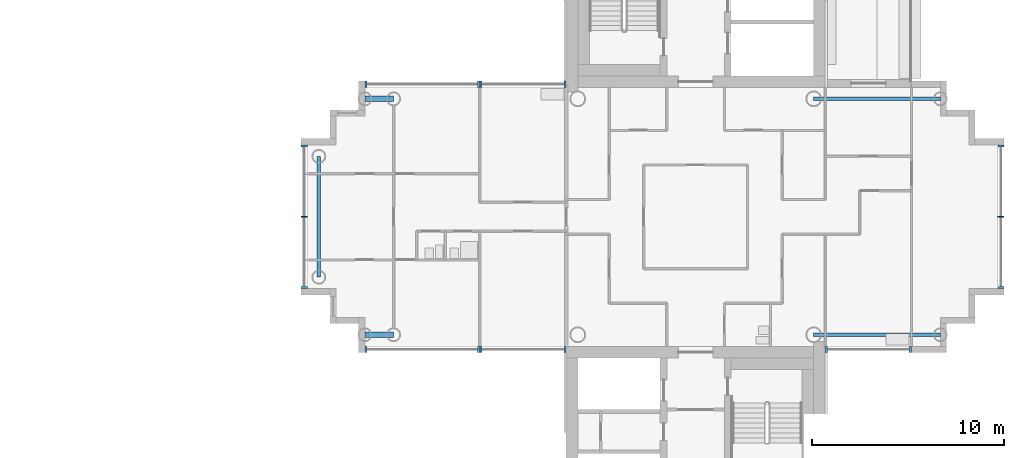
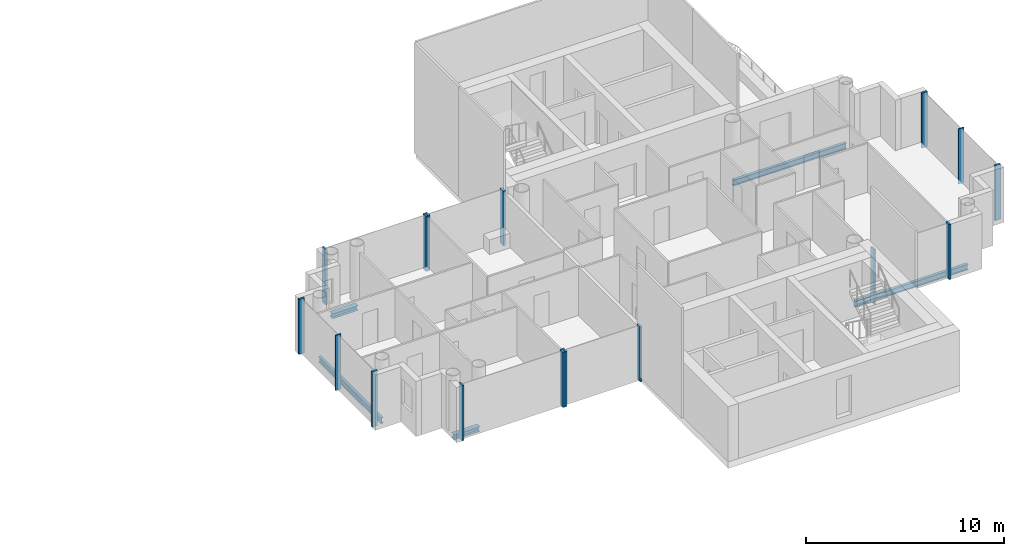
# One storey, part 4 of 18: 16 members, 5 beams, 7 elements without a shape of their own.
"""IFC4 building model written with IfcOpenShell, lengths in metres."""

from ifc_helpers import new_model, si_unit, direction, frame, origin, origin_2d, place, context, subcontext, project, spatial, rectangle, i_section, extrude, material, layer, layer_set, material_profile, profile_set, type_object, element, aggregate, save


model = new_model("IFC4")

# Units and contexts
model_context = context("Model", 3, precision=1e-05, world=origin(), true_north=direction((0.0, 1.0)))
body_context = subcontext(model_context, "Body", "Model", "MODEL_VIEW")
ifc_project = project(units=[si_unit("LENGTHUNIT", "METRE"), si_unit("AREAUNIT", "SQUARE_METRE"), si_unit("VOLUMEUNIT", "CUBIC_METRE"), si_unit("PLANEANGLEUNIT", "RADIAN"), si_unit("MASSUNIT", "GRAM", prefix="KILO")], contexts=[model_context])

# Site, building, storey
site_placement = place(None, origin())
site = spatial("IfcSite", under=ifc_project, at=site_placement, CompositionType="ELEMENT")
building_placement = place(site_placement, origin())
building = spatial("IfcBuilding", under=site, at=building_placement, Name="Ipe Terrace Towers", CompositionType="ELEMENT")
storey_placement = place(building_placement, frame((0.0, 0.0, 219.800048828125)))
storey = spatial("IfcBuildingStorey", under=building, at=storey_placement, Name="L61", CompositionType="ELEMENT", Elevation=219.800048828125)

# Beams
ifc_material_1 = material(Name="Steel S355", Category="steel")
ifc_material_profile_1 = material_profile(ifc_material_1, i_section(OverallWidth=0.300048828125, OverallDepth=0.300048828125, WebThickness=0.010009765625, FlangeThickness=0.014892578125, at=origin_2d()), Name="H-300x300x10x15")
ifc_profile_set_1 = profile_set([ifc_material_profile_1], Name="Steel S355")
beam_type_1 = type_object("IfcBeamType", Name="H03 EDGE BEAM H-300x300x10x15", PredefinedType="BEAM", material=ifc_profile_set_1)
for number, where, z_axis, x_axis, name in (
    (1, (20.25, 6.14990234375, -0.550048828125), (-1.0, 0.0, 0.0), (0.0, -1.0, 0.0), "Edge beam T2-EB-B03-B05"),
    (2, (20.25, -6.14990234375, -0.550048828125), (-1.0, 0.0, 0.0), (0.0, -1.0, 0.0), "Edge beam T2-EB-B04-B06"),
):
    element("IfcBeam", number, at=place(storey_placement, frame(where, z_axis=z_axis, x_axis=x_axis)), inside=storey, type_object=beam_type_1, Name=name, PredefinedType="BEAM", context=body_context, shape_type="SweptSolid", body=[
        extrude(i_section(OverallWidth=0.300048828125, OverallDepth=0.300048828125, WebThickness=0.010009765625, FlangeThickness=0.014892578125, at=origin_2d()), origin(), (0.0, 0.0, 1.0), 1.5),
    ])
ifc_material_2 = material(Name="Steel S355", Category="steel")
ifc_material_profile_2 = material_profile(ifc_material_2, i_section(OverallWidth=0.175048828125, OverallDepth=0.35009765625, WebThickness=0.007080078125, FlangeThickness=0.010986328125, at=origin_2d()), Name="H-350x175x7x11")
ifc_profile_set_2 = profile_set([ifc_material_profile_2], Name="Steel S355")
beam_type_2 = type_object("IfcBeamType", Name="H04 EDGE BEAM H-350x175x7x11", PredefinedType="BEAM", material=ifc_profile_set_2)
beam_placement = place(storey_placement, frame((16.35009765625, 3.14990234375, -0.574951171875), z_axis=(0.0, -1.0, 0.0), x_axis=(1.0, 0.0, 0.0)))
element("IfcBeam", 3, at=beam_placement, inside=storey, type_object=beam_type_2, Name="Edge beam T2-EB-B07-B08", PredefinedType="BEAM", context=body_context, shape_type="SweptSolid", body=[
    extrude(i_section(OverallWidth=0.175048828125, OverallDepth=0.35009765625, WebThickness=0.007080078125, FlangeThickness=0.010986328125, at=origin_2d()), origin(), (0.0, 0.0, 1.0), 6.2998046875),
])
for number, where, z_axis, x_axis, name in (
    (4, (48.75, -6.14990234375, -0.574951171875), (-1.0, 0.0, 0.0), (0.0, -1.0, 0.0), "Edge beam T2-EB-D01-E01"),
    (5, (48.75, 6.14990234375, -0.574951171875), (-1.0, 0.0, 0.0), (0.0, -1.0, 0.0), "Edge beam T2-EB-D02-E02"),
):
    element("IfcBeam", number, at=place(storey_placement, frame(where, z_axis=z_axis, x_axis=x_axis)), inside=storey, type_object=beam_type_2, Name=name, PredefinedType="BEAM", context=body_context, shape_type="SweptSolid", body=[
        extrude(i_section(OverallWidth=0.175048828125, OverallDepth=0.35009765625, WebThickness=0.007080078125, FlangeThickness=0.010986328125, at=origin_2d()), origin(), (0.0, 0.0, 1.0), 6.60009765625),
    ])

# Curtain wall, members
ifc_material_3 = material(Name="Aluminium alloy 6063-T6", Category="aluminium")
ifc_layer = layer(ifc_material_3, 0.320068359375)
ifc_layer_set = layer_set([ifc_layer], Name="TOWER UNITISED CURTAIN WALL")
curtain_wall_type = type_object("IfcCurtainWallType", Name="TOWER UNITISED CURTAIN WALL", PredefinedType="NOTDEFINED", material=ifc_layer_set)
curtain_wall_1_placement = place(storey_placement, origin())
curtain_wall_1 = element("IfcCurtainWall", 6, at=curtain_wall_1_placement, inside=storey, type_object=curtain_wall_type, Name="T2-CW-L61-02a curtain wall", PredefinedType="NOTDEFINED")
ifc_material_4 = material(Name="Aluminium alloy 6063-T6", Category="aluminium")
ifc_material_profile_3 = material_profile(ifc_material_4, rectangle(XDim=0.320068359375, YDim=0.1201171875, at=origin_2d()), Name="TOWER UNITISED CORNER MULLION 320 x 120")
ifc_profile_set_3 = profile_set([ifc_material_profile_3], Name="Aluminium alloy 6063-T6")
member_type_1 = type_object("IfcMemberType", Name="TOWER UNITISED CORNER MULLION 320 x 120", PredefinedType="MULLION", material=ifc_profile_set_3)
member_1_placement = place(storey_placement, frame((42.81005859375, -6.909912109375, -0.300048828125), z_axis=(0.0, 0.0, 1.0), x_axis=(0.0, -1.0, 0.0)))
member_1 = element("IfcMember", 7, at=member_1_placement, type_object=member_type_1, Name="T2-CW-L61-02a mullion 1", PredefinedType="MULLION", context=body_context, shape_type="SweptSolid", body=[
    extrude(rectangle(XDim=0.320068359375, YDim=0.1201171875, at=origin_2d()), origin(), (0.0, 0.0, 1.0), 3.39990234375),
])
member_2_placement = place(storey_placement, frame((47.18994140625, -6.909912109375, -0.300048828125), z_axis=(0.0, 0.0, 1.0), x_axis=(0.0, -1.0, 0.0)))
member_2 = element("IfcMember", 8, at=member_2_placement, type_object=member_type_1, Name="T2-CW-L61-02a mullion 2", PredefinedType="MULLION", context=body_context, shape_type="SweptSolid", body=[
    extrude(rectangle(XDim=0.320068359375, YDim=0.1201171875, at=origin_2d()), origin(), (0.0, 0.0, 1.0), 3.39990234375),
])
aggregate(curtain_wall_1, [member_1, member_2])

curtain_wall_2_placement = place(storey_placement, origin())
curtain_wall_2 = element("IfcCurtainWall", 9, at=curtain_wall_2_placement, inside=storey, type_object=curtain_wall_type, Name="T2-CW-L61-08a curtain wall", PredefinedType="NOTDEFINED")
member_3_placement = place(storey_placement, frame((51.909912109375, -3.68994140625, -0.300048828125), z_axis=(0.0, 0.0, 1.0), x_axis=(1.0, 0.0, 0.0)))
member_3 = element("IfcMember", 10, at=member_3_placement, type_object=member_type_1, Name="T2-CW-L61-08a mullion 1", PredefinedType="MULLION", context=body_context, shape_type="SweptSolid", body=[
    extrude(rectangle(XDim=0.320068359375, YDim=0.1201171875, at=origin_2d()), origin(), (0.0, 0.0, 1.0), 3.39990234375),
])
member_4_placement = place(storey_placement, frame((51.909912109375, 3.68994140625, -0.300048828125), z_axis=(0.0, 0.0, 1.0), x_axis=(1.0, 0.0, 0.0)))
member_4 = element("IfcMember", 11, at=member_4_placement, type_object=member_type_1, Name="T2-CW-L61-08a mullion 3", PredefinedType="MULLION", context=body_context, shape_type="SweptSolid", body=[
    extrude(rectangle(XDim=0.320068359375, YDim=0.1201171875, at=origin_2d()), origin(), (0.0, 0.0, 1.0), 3.39990234375),
])

curtain_wall_3_placement = place(storey_placement, origin())
curtain_wall_3 = element("IfcCurtainWall", 12, at=curtain_wall_3_placement, inside=storey, type_object=curtain_wall_type, Name="T2-CW-L61-20a curtain wall", PredefinedType="NOTDEFINED")
member_5_placement = place(storey_placement, frame((29.18994140625, 6.909912109375, -0.300048828125), z_axis=(0.0, 0.0, 1.0), x_axis=(0.0, 1.0, 0.0)))
member_5 = element("IfcMember", 13, at=member_5_placement, type_object=member_type_1, Name="T2-CW-L61-20a mullion 1", PredefinedType="MULLION", context=body_context, shape_type="SweptSolid", body=[
    extrude(rectangle(XDim=0.320068359375, YDim=0.1201171875, at=origin_2d()), origin(), (0.0, 0.0, 1.0), 3.39990234375),
])
member_6_placement = place(storey_placement, frame((24.81005859375, 6.909912109375, -0.300048828125), z_axis=(0.0, 0.0, 1.0), x_axis=(0.0, 1.0, 0.0)))
member_6 = element("IfcMember", 14, at=member_6_placement, type_object=member_type_1, Name="T2-CW-L61-20a mullion 2", PredefinedType="MULLION", context=body_context, shape_type="SweptSolid", body=[
    extrude(rectangle(XDim=0.320068359375, YDim=0.1201171875, at=origin_2d()), origin(), (0.0, 0.0, 1.0), 3.39990234375),
])
aggregate(curtain_wall_3, [member_5, member_6])

curtain_wall_4_placement = place(storey_placement, origin())
curtain_wall_4 = element("IfcCurtainWall", 15, at=curtain_wall_4_placement, inside=storey, type_object=curtain_wall_type, Name="T2-CW-L61-21a curtain wall", PredefinedType="NOTDEFINED")
member_7_placement = place(storey_placement, frame((24.68994140625, 6.909912109375, -0.300048828125), z_axis=(0.0, 0.0, 1.0), x_axis=(0.0, 1.0, 0.0)))
member_7 = element("IfcMember", 16, at=member_7_placement, type_object=member_type_1, Name="T2-CW-L61-21a mullion 1", PredefinedType="MULLION", context=body_context, shape_type="SweptSolid", body=[
    extrude(rectangle(XDim=0.320068359375, YDim=0.1201171875, at=origin_2d()), origin(), (0.0, 0.0, 1.0), 3.39990234375),
])
member_8_placement = place(storey_placement, frame((18.81005859375, 6.909912109375, -0.300048828125), z_axis=(0.0, 0.0, 1.0), x_axis=(0.0, 1.0, 0.0)))
member_8 = element("IfcMember", 17, at=member_8_placement, type_object=member_type_1, Name="T2-CW-L61-21a mullion 2", PredefinedType="MULLION", context=body_context, shape_type="SweptSolid", body=[
    extrude(rectangle(XDim=0.320068359375, YDim=0.1201171875, at=origin_2d()), origin(), (0.0, 0.0, 1.0), 3.39990234375),
])
aggregate(curtain_wall_4, [member_7, member_8])

curtain_wall_5_placement = place(storey_placement, origin())
curtain_wall_5 = element("IfcCurtainWall", 18, at=curtain_wall_5_placement, inside=storey, type_object=curtain_wall_type, Name="T2-CW-L61-26a curtain wall", PredefinedType="NOTDEFINED")
member_9_placement = place(storey_placement, frame((15.590087890625, 3.68994140625, -0.300048828125), z_axis=(0.0, 0.0, 1.0), x_axis=(-1.0, 0.0, 0.0)))
member_9 = element("IfcMember", 19, at=member_9_placement, type_object=member_type_1, Name="T2-CW-L61-26a mullion 1", PredefinedType="MULLION", context=body_context, shape_type="SweptSolid", body=[
    extrude(rectangle(XDim=0.320068359375, YDim=0.1201171875, at=origin_2d()), origin(), (0.0, 0.0, 1.0), 3.39990234375),
])
member_10_placement = place(storey_placement, frame((15.590087890625, -3.68994140625, -0.300048828125), z_axis=(0.0, 0.0, 1.0), x_axis=(-1.0, 0.0, 0.0)))
member_10 = element("IfcMember", 20, at=member_10_placement, type_object=member_type_1, Name="T2-CW-L61-26a mullion 3", PredefinedType="MULLION", context=body_context, shape_type="SweptSolid", body=[
    extrude(rectangle(XDim=0.320068359375, YDim=0.1201171875, at=origin_2d()), origin(), (0.0, 0.0, 1.0), 3.39990234375),
])

curtain_wall_6_placement = place(storey_placement, origin())
curtain_wall_6 = element("IfcCurtainWall", 21, at=curtain_wall_6_placement, inside=storey, type_object=curtain_wall_type, Name="T2-CW-L61-31a curtain wall", PredefinedType="NOTDEFINED")
member_11_placement = place(storey_placement, frame((18.81005859375, -6.909912109375, -0.300048828125), z_axis=(0.0, 0.0, 1.0), x_axis=(0.0, -1.0, 0.0)))
member_11 = element("IfcMember", 22, at=member_11_placement, type_object=member_type_1, Name="T2-CW-L61-31a mullion 1", PredefinedType="MULLION", context=body_context, shape_type="SweptSolid", body=[
    extrude(rectangle(XDim=0.320068359375, YDim=0.1201171875, at=origin_2d()), origin(), (0.0, 0.0, 1.0), 3.39990234375),
])
member_12_placement = place(storey_placement, frame((24.68994140625, -6.909912109375, -0.300048828125), z_axis=(0.0, 0.0, 1.0), x_axis=(0.0, -1.0, 0.0)))
member_12 = element("IfcMember", 23, at=member_12_placement, type_object=member_type_1, Name="T2-CW-L61-31a mullion 2", PredefinedType="MULLION", context=body_context, shape_type="SweptSolid", body=[
    extrude(rectangle(XDim=0.320068359375, YDim=0.1201171875, at=origin_2d()), origin(), (0.0, 0.0, 1.0), 3.39990234375),
])
aggregate(curtain_wall_6, [member_11, member_12])

curtain_wall_7_placement = place(storey_placement, origin())
curtain_wall_7 = element("IfcCurtainWall", 24, at=curtain_wall_7_placement, inside=storey, type_object=curtain_wall_type, Name="T2-CW-L61-32a curtain wall", PredefinedType="NOTDEFINED")
member_13_placement = place(storey_placement, frame((24.81005859375, -6.909912109375, -0.300048828125), z_axis=(0.0, 0.0, 1.0), x_axis=(0.0, -1.0, 0.0)))
member_13 = element("IfcMember", 25, at=member_13_placement, type_object=member_type_1, Name="T2-CW-L61-32a mullion 1", PredefinedType="MULLION", context=body_context, shape_type="SweptSolid", body=[
    extrude(rectangle(XDim=0.320068359375, YDim=0.1201171875, at=origin_2d()), origin(), (0.0, 0.0, 1.0), 3.39990234375),
])
member_14_placement = place(storey_placement, frame((29.18994140625, -6.909912109375, -0.300048828125), z_axis=(0.0, 0.0, 1.0), x_axis=(0.0, -1.0, 0.0)))
member_14 = element("IfcMember", 26, at=member_14_placement, type_object=member_type_1, Name="T2-CW-L61-32a mullion 2", PredefinedType="MULLION", context=body_context, shape_type="SweptSolid", body=[
    extrude(rectangle(XDim=0.320068359375, YDim=0.1201171875, at=origin_2d()), origin(), (0.0, 0.0, 1.0), 3.39990234375),
])
aggregate(curtain_wall_7, [member_13, member_14])

# Member
ifc_material_5 = material(Name="Aluminium alloy 6063-T6", Category="aluminium")
ifc_material_profile_4 = material_profile(ifc_material_5, rectangle(XDim=0.320068359375, YDim=0.06494140625, at=origin_2d()), Name="TOWER UNITISED MULLION 320 x 65")
ifc_profile_set_4 = profile_set([ifc_material_profile_4], Name="Aluminium alloy 6063-T6")
member_type_2 = type_object("IfcMemberType", Name="TOWER UNITISED MULLION 320 x 65", PredefinedType="MULLION", material=ifc_profile_set_4)
member_15_placement = place(storey_placement, frame((51.909912109375, 0.0, -0.300048828125), z_axis=(0.0, 0.0, 1.0), x_axis=(1.0, 0.0, 0.0)))
member_15 = element("IfcMember", 27, at=member_15_placement, type_object=member_type_2, Name="T2-CW-L61-08a mullion 2", PredefinedType="MULLION", context=body_context, shape_type="SweptSolid", body=[
    extrude(rectangle(XDim=0.320068359375, YDim=0.06494140625, at=origin_2d()), origin(), (0.0, 0.0, 1.0), 3.39990234375),
])

aggregate(curtain_wall_2, [member_3, member_15, member_4])

member_16_placement = place(storey_placement, frame((15.590087890625, 0.0, -0.300048828125), z_axis=(0.0, 0.0, 1.0), x_axis=(-1.0, 0.0, 0.0)))
member_16 = element("IfcMember", 28, at=member_16_placement, type_object=member_type_2, Name="T2-CW-L61-26a mullion 2", PredefinedType="MULLION", context=body_context, shape_type="SweptSolid", body=[
    extrude(rectangle(XDim=0.320068359375, YDim=0.06494140625, at=origin_2d()), origin(), (0.0, 0.0, 1.0), 3.39990234375),
])

aggregate(curtain_wall_5, [member_9, member_16, member_10])

save(model, "model.ifc")
